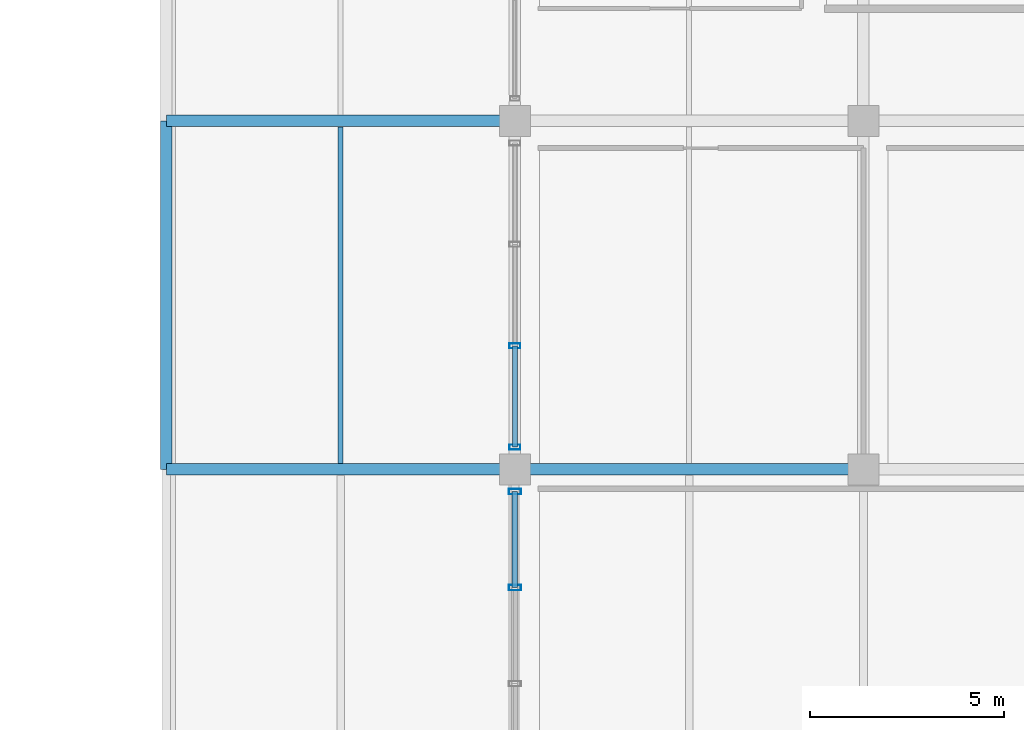
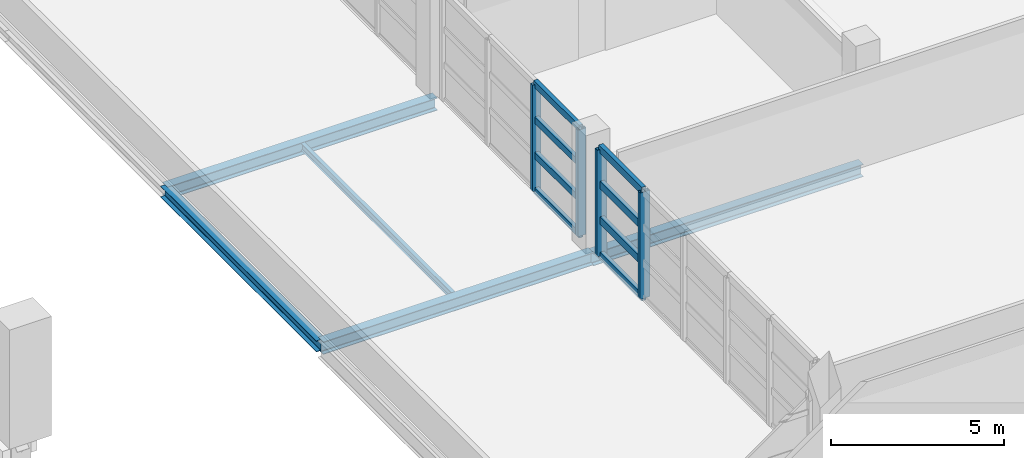
# One storey, part 78 of 136: 12 members, 5 beams, 2 elements without a shape of their own.
"""IFC4 building model written with IfcOpenShell, lengths in metres."""

from ifc_helpers import new_model, si_unit, direction, frame, origin, origin_2d, place, context, subcontext, project, spatial, hollow_rectangle, i_section, extrude, material, material_profile, profile_set, type_object, element, aggregate, save


model = new_model("IFC4")

# Units and contexts
model_context = context("Model", 3, precision=1e-05, world=origin(), true_north=direction((0.0, 1.0)))
body_context = subcontext(model_context, "Body", "Model", "MODEL_VIEW")
ifc_project = project(units=[si_unit("LENGTHUNIT", "METRE"), si_unit("AREAUNIT", "SQUARE_METRE"), si_unit("VOLUMEUNIT", "CUBIC_METRE"), si_unit("PLANEANGLEUNIT", "RADIAN"), si_unit("MASSUNIT", "GRAM", prefix="KILO")], contexts=[model_context])

# Site, building, storey
site_placement = place(None, origin())
site = spatial("IfcSite", under=ifc_project, at=site_placement, CompositionType="ELEMENT")
building_placement = place(site_placement, origin())
building = spatial("IfcBuilding", under=site, at=building_placement, Name="Chuanluo Vaults Station", CompositionType="ELEMENT")
storey_placement = place(building_placement, frame((0.0, 0.0, 6.60009765625)))
storey = spatial("IfcBuildingStorey", under=building, at=storey_placement, Name="L01", CompositionType="ELEMENT", Elevation=6.60009765625)

# Beams
ifc_material_1 = material(Name="Steel Q355C", Category="steel")
ifc_material_profile_1 = material_profile(ifc_material_1, i_section(OverallWidth=0.300048828125, OverallDepth=0.389892578125, WebThickness=0.010009765625, FlangeThickness=0.01611328125, FilletRadius=0.02001953125, at=origin_2d()))
ifc_profile_set_1 = profile_set([ifc_material_profile_1], Name="Steel Q355C")
beam_type_1 = type_object("IfcBeamType", Name="BM-GRD-400", PredefinedType="BEAM", material=ifc_profile_set_1)
beam_1_placement = place(storey_placement, frame((136.0, 67.5, -0.400146484375), z_axis=(0.0, 1.0, 0.0), x_axis=(-1.0, 0.0, 0.0)))
element("IfcBeam", 1, at=beam_1_placement, inside=storey, type_object=beam_type_1, Name="Floor girder BM:GY:L01:0460", PredefinedType="BEAM", context=body_context, shape_type="SweptSolid", body=[
    extrude(i_section(OverallWidth=0.300048828125, OverallDepth=0.389892578125, WebThickness=0.010009765625, FlangeThickness=0.01611328125, FilletRadius=0.02001953125, at=origin_2d()), origin(), (0.0, 0.0, 1.0), 9.0),
])
ifc_material_2 = material(Name="Steel Q355C", Category="steel")
ifc_material_profile_2 = material_profile(ifc_material_2, i_section(OverallWidth=0.300048828125, OverallDepth=0.43994140625, WebThickness=0.010986328125, FlangeThickness=0.01806640625, FilletRadius=0.02001953125, at=origin_2d()))
ifc_profile_set_2 = profile_set([ifc_material_profile_2], Name="Steel Q355C")
beam_type_2 = type_object("IfcBeamType", Name="BM-GRD-450", PredefinedType="USERDEFINED", material=ifc_profile_set_2)
for number, where, z_axis, x_axis, name in (
    (2, (136.0, 67.5, -0.425048828125), (1.0, 0.0, 0.0), (0.0, 1.0, 0.0), "Floor girder BM:GX:L01:0339"),
    (3, (145.0, 67.5, -0.460205078125), (1.0, 0.0, 0.0), (0.0, 1.0, 0.0), "Floor girder BM:GX:L01:0340"),
    (4, (136.0, 76.5, -0.425048828125), (1.0, 0.0, 0.0), (0.0, 1.0, 0.0), "Floor girder BM:GX:L01:0345"),
):
    element("IfcBeam", number, at=place(storey_placement, frame(where, z_axis=z_axis, x_axis=x_axis)), inside=storey, type_object=beam_type_2, Name=name, ObjectType="GIRDER", PredefinedType="USERDEFINED", context=body_context, shape_type="SweptSolid", body=[
        extrude(i_section(OverallWidth=0.300048828125, OverallDepth=0.43994140625, WebThickness=0.010986328125, FlangeThickness=0.01806640625, FilletRadius=0.02001953125, at=origin_2d()), origin(), (0.0, 0.0, 1.0), 9.0),
    ])
ifc_material_3 = material(Name="Steel Q355C", Category="steel")
ifc_material_profile_3 = material_profile(ifc_material_3, i_section(OverallWidth=0.125, OverallDepth=0.25, WebThickness=0.006103515625, FlangeThickness=0.009033203125, FilletRadius=0.011962890625, at=origin_2d()))
ifc_profile_set_3 = profile_set([ifc_material_profile_3], Name="Steel Q355C")
beam_type_3 = type_object("IfcBeamType", Name="BM-SEC-250", PredefinedType="JOIST", material=ifc_profile_set_3)
beam_2_placement = place(storey_placement, frame((140.5, 67.655029296875, -0.330078125), z_axis=(0.0, 1.0, 0.0), x_axis=(-1.0, 0.0, 0.0)))
element("IfcBeam", 5, at=beam_2_placement, inside=storey, type_object=beam_type_3, Name="Composite secondary joist 0152", PredefinedType="JOIST", context=body_context, shape_type="SweptSolid", body=[
    extrude(i_section(OverallWidth=0.125, OverallDepth=0.25, WebThickness=0.006103515625, FlangeThickness=0.009033203125, FilletRadius=0.011962890625, at=origin_2d()), origin(), (0.0, 0.0, 1.0), 8.68994140625),
])

# Curtain wall, members
ifc_material_4 = material(Name="Anodised aluminium 6063-T6", Category="aluminium")
curtain_wall_type_1 = type_object("IfcCurtainWallType", Name="CW-SYS-10", PredefinedType="NOTDEFINED", material=ifc_material_4)
curtain_wall_1_placement = place(storey_placement, origin())
curtain_wall_1 = element("IfcCurtainWall", 6, at=curtain_wall_1_placement, inside=storey, type_object=curtain_wall_type_1, Name="Operations L01 facade CW", PredefinedType="NOTDEFINED")
ifc_material_5 = material(Name="Anodised aluminium 6063-T6", Category="aluminium")
ifc_material_profile_4 = material_profile(ifc_material_5, hollow_rectangle(XDim=0.1298828125, YDim=0.280029296875, WallThickness=0.007080078125, at=origin_2d()))
ifc_profile_set_4 = profile_set([ifc_material_profile_4], Name="Anodised aluminium 6063-T6")
member_type_1 = type_object("IfcMemberType", Name="CWM-180", PredefinedType="MULLION", material=ifc_profile_set_4)
member_1_placement = place(storey_placement, frame((145.0, 68.074951171875, 0.0), z_axis=(0.0, 0.0, 1.0), x_axis=(0.0, 1.0, 0.0)))
member_1 = element("IfcMember", 7, at=member_1_placement, type_object=member_type_1, Name="Operations L01 facade CW mullion 1", PredefinedType="MULLION", context=body_context, shape_type="SweptSolid", body=[
    extrude(hollow_rectangle(XDim=0.1298828125, YDim=0.280029296875, WallThickness=0.007080078125, at=origin_2d()), origin(), (0.0, 0.0, 1.0), 3.75),
])
member_2_placement = place(storey_placement, frame((145.0, 70.691650390625, 0.0), z_axis=(0.0, 0.0, 1.0), x_axis=(0.0, 1.0, 0.0)))
member_2 = element("IfcMember", 8, at=member_2_placement, type_object=member_type_1, Name="Operations L01 facade CW mullion 2", PredefinedType="MULLION", context=body_context, shape_type="SweptSolid", body=[
    extrude(hollow_rectangle(XDim=0.1298828125, YDim=0.280029296875, WallThickness=0.007080078125, at=origin_2d()), origin(), (0.0, 0.0, 1.0), 3.75),
])

ifc_material_6 = material(Name="Anodised aluminium 6063-T6", Category="aluminium")
curtain_wall_type_2 = type_object("IfcCurtainWallType", Name="CW-SYS-09", PredefinedType="NOTDEFINED", material=ifc_material_6)
curtain_wall_2_placement = place(storey_placement, origin())
curtain_wall_2 = element("IfcCurtainWall", 9, at=curtain_wall_2_placement, inside=storey, type_object=curtain_wall_type_2, Name="Operations L01 facade CW", PredefinedType="NOTDEFINED")
ifc_material_7 = material(Name="Anodised aluminium 6063-T6", Category="aluminium")
ifc_material_profile_5 = material_profile(ifc_material_7, hollow_rectangle(XDim=0.139892578125, YDim=0.320068359375, WallThickness=0.008056640625, at=origin_2d()))
ifc_profile_set_5 = profile_set([ifc_material_profile_5], Name="Anodised aluminium 6063-T6")
member_type_2 = type_object("IfcMemberType", Name="CWM-220", PredefinedType="MULLION", material=ifc_profile_set_5)
member_3_placement = place(storey_placement, frame((145.0, 64.445068359375, 0.0), z_axis=(0.0, 0.0, 1.0), x_axis=(0.0, 1.0, 0.0)))
member_3 = element("IfcMember", 10, at=member_3_placement, type_object=member_type_2, Name="Operations L01 facade CW mullion 5", PredefinedType="MULLION", context=body_context, shape_type="SweptSolid", body=[
    extrude(hollow_rectangle(XDim=0.139892578125, YDim=0.320068359375, WallThickness=0.008056640625, at=origin_2d()), origin(), (0.0, 0.0, 1.0), 3.75),
])
member_4_placement = place(storey_placement, frame((145.0, 66.925048828125, 0.0), z_axis=(0.0, 0.0, 1.0), x_axis=(0.0, 1.0, 0.0)))
member_4 = element("IfcMember", 11, at=member_4_placement, type_object=member_type_2, Name="Operations L01 facade CW mullion 6", PredefinedType="MULLION", context=body_context, shape_type="SweptSolid", body=[
    extrude(hollow_rectangle(XDim=0.139892578125, YDim=0.320068359375, WallThickness=0.008056640625, at=origin_2d()), origin(), (0.0, 0.0, 1.0), 3.75),
])

# Member
ifc_material_8 = material(Name="Anodised aluminium 6063-T6", Category="aluminium")
ifc_material_profile_6 = material_profile(ifc_material_8, hollow_rectangle(XDim=0.1298828125, YDim=0.22998046875, WallThickness=0.006103515625, at=origin_2d()))
ifc_profile_set_6 = profile_set([ifc_material_profile_6], Name="Anodised aluminium 6063-T6")
member_type_3 = type_object("IfcMemberType", Name="CWT-150", PredefinedType="USERDEFINED", material=ifc_profile_set_6)
member_5_placement = place(storey_placement, frame((145.0, 68.074951171875, 0.0), z_axis=(0.0, 1.0, 0.0), x_axis=(-1.0, 0.0, 0.0)))
member_5 = element("IfcMember", 12, at=member_5_placement, type_object=member_type_3, Name="Operations L01 facade CW transom 1.1", ObjectType="TRANSOM", PredefinedType="USERDEFINED", context=body_context, shape_type="SweptSolid", body=[
    extrude(hollow_rectangle(XDim=0.1298828125, YDim=0.22998046875, WallThickness=0.006103515625, at=origin_2d()), origin(), (0.0, 0.0, 1.0), 2.61669921875),
])

member_6_placement = place(storey_placement, frame((145.0, 68.074951171875, 1.25), z_axis=(0.0, 1.0, 0.0), x_axis=(-1.0, 0.0, 0.0)))
member_6 = element("IfcMember", 13, at=member_6_placement, type_object=member_type_3, Name="Operations L01 facade CW transom 1.2", ObjectType="TRANSOM", PredefinedType="USERDEFINED", context=body_context, shape_type="SweptSolid", body=[
    extrude(hollow_rectangle(XDim=0.1298828125, YDim=0.22998046875, WallThickness=0.006103515625, at=origin_2d()), origin(), (0.0, 0.0, 1.0), 2.61669921875),
])

member_7_placement = place(storey_placement, frame((145.0, 68.074951171875, 2.5), z_axis=(0.0, 1.0, 0.0), x_axis=(-1.0, 0.0, 0.0)))
member_7 = element("IfcMember", 14, at=member_7_placement, type_object=member_type_3, Name="Operations L01 facade CW transom 1.3", ObjectType="TRANSOM", PredefinedType="USERDEFINED", context=body_context, shape_type="SweptSolid", body=[
    extrude(hollow_rectangle(XDim=0.1298828125, YDim=0.22998046875, WallThickness=0.006103515625, at=origin_2d()), origin(), (0.0, 0.0, 1.0), 2.61669921875),
])

member_8_placement = place(storey_placement, frame((145.0, 68.074951171875, 3.75), z_axis=(0.0, 1.0, 0.0), x_axis=(-1.0, 0.0, 0.0)))
member_8 = element("IfcMember", 15, at=member_8_placement, type_object=member_type_3, Name="Operations L01 facade CW transom 1.4", ObjectType="TRANSOM", PredefinedType="USERDEFINED", context=body_context, shape_type="SweptSolid", body=[
    extrude(hollow_rectangle(XDim=0.1298828125, YDim=0.22998046875, WallThickness=0.006103515625, at=origin_2d()), origin(), (0.0, 0.0, 1.0), 2.61669921875),
])

aggregate(curtain_wall_1, [member_1, member_2, member_5, member_6, member_7, member_8])

ifc_material_9 = material(Name="Anodised aluminium 6063-T6", Category="aluminium")
ifc_material_profile_7 = material_profile(ifc_material_9, hollow_rectangle(XDim=0.139892578125, YDim=0.260009765625, WallThickness=0.007080078125, at=origin_2d()))
ifc_profile_set_7 = profile_set([ifc_material_profile_7], Name="Anodised aluminium 6063-T6")
member_type_4 = type_object("IfcMemberType", Name="CWT-180", PredefinedType="USERDEFINED", material=ifc_profile_set_7)
member_9_placement = place(storey_placement, frame((145.0, 64.445068359375, 0.0), z_axis=(0.0, 1.0, 0.0), x_axis=(-1.0, 0.0, 0.0)))
member_9 = element("IfcMember", 16, at=member_9_placement, type_object=member_type_4, Name="Operations L01 facade CW transom 5.1", ObjectType="TRANSOM", PredefinedType="USERDEFINED", context=body_context, shape_type="SweptSolid", body=[
    extrude(hollow_rectangle(XDim=0.139892578125, YDim=0.260009765625, WallThickness=0.007080078125, at=origin_2d()), origin(), (0.0, 0.0, 1.0), 2.47998046875),
])

member_10_placement = place(storey_placement, frame((145.0, 64.445068359375, 1.25), z_axis=(0.0, 1.0, 0.0), x_axis=(-1.0, 0.0, 0.0)))
member_10 = element("IfcMember", 17, at=member_10_placement, type_object=member_type_4, Name="Operations L01 facade CW transom 5.2", ObjectType="TRANSOM", PredefinedType="USERDEFINED", context=body_context, shape_type="SweptSolid", body=[
    extrude(hollow_rectangle(XDim=0.139892578125, YDim=0.260009765625, WallThickness=0.007080078125, at=origin_2d()), origin(), (0.0, 0.0, 1.0), 2.47998046875),
])

member_11_placement = place(storey_placement, frame((145.0, 64.445068359375, 2.5), z_axis=(0.0, 1.0, 0.0), x_axis=(-1.0, 0.0, 0.0)))
member_11 = element("IfcMember", 18, at=member_11_placement, type_object=member_type_4, Name="Operations L01 facade CW transom 5.3", ObjectType="TRANSOM", PredefinedType="USERDEFINED", context=body_context, shape_type="SweptSolid", body=[
    extrude(hollow_rectangle(XDim=0.139892578125, YDim=0.260009765625, WallThickness=0.007080078125, at=origin_2d()), origin(), (0.0, 0.0, 1.0), 2.47998046875),
])

member_12_placement = place(storey_placement, frame((145.0, 64.445068359375, 3.75), z_axis=(0.0, 1.0, 0.0), x_axis=(-1.0, 0.0, 0.0)))
member_12 = element("IfcMember", 19, at=member_12_placement, type_object=member_type_4, Name="Operations L01 facade CW transom 5.4", ObjectType="TRANSOM", PredefinedType="USERDEFINED", context=body_context, shape_type="SweptSolid", body=[
    extrude(hollow_rectangle(XDim=0.139892578125, YDim=0.260009765625, WallThickness=0.007080078125, at=origin_2d()), origin(), (0.0, 0.0, 1.0), 2.47998046875),
])

aggregate(curtain_wall_2, [member_3, member_4, member_9, member_10, member_11, member_12])

save(model, "model.ifc")
